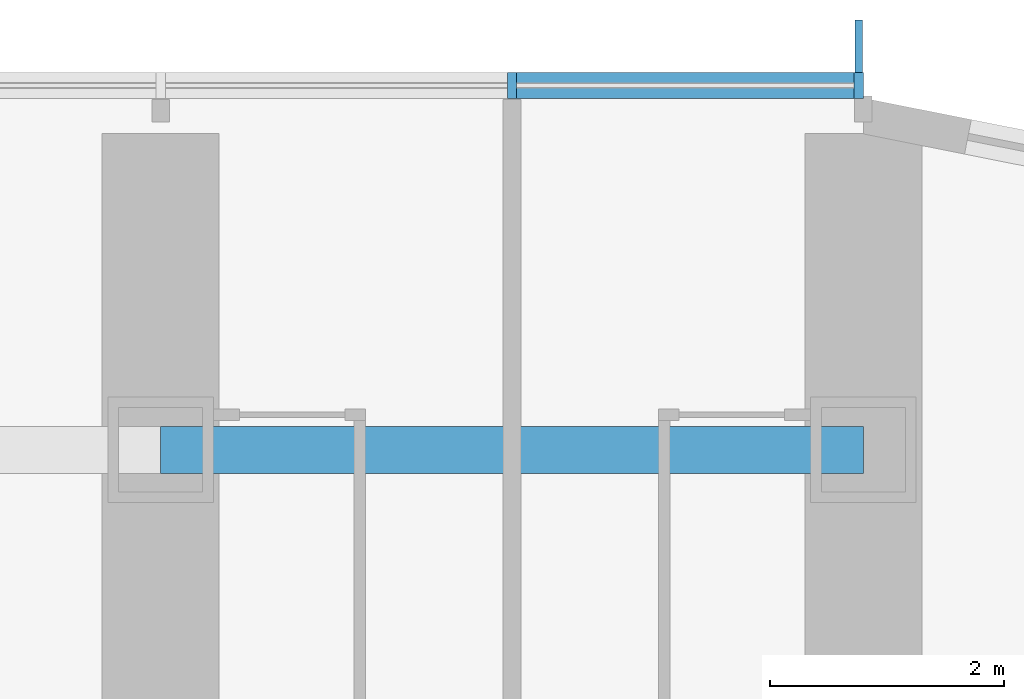
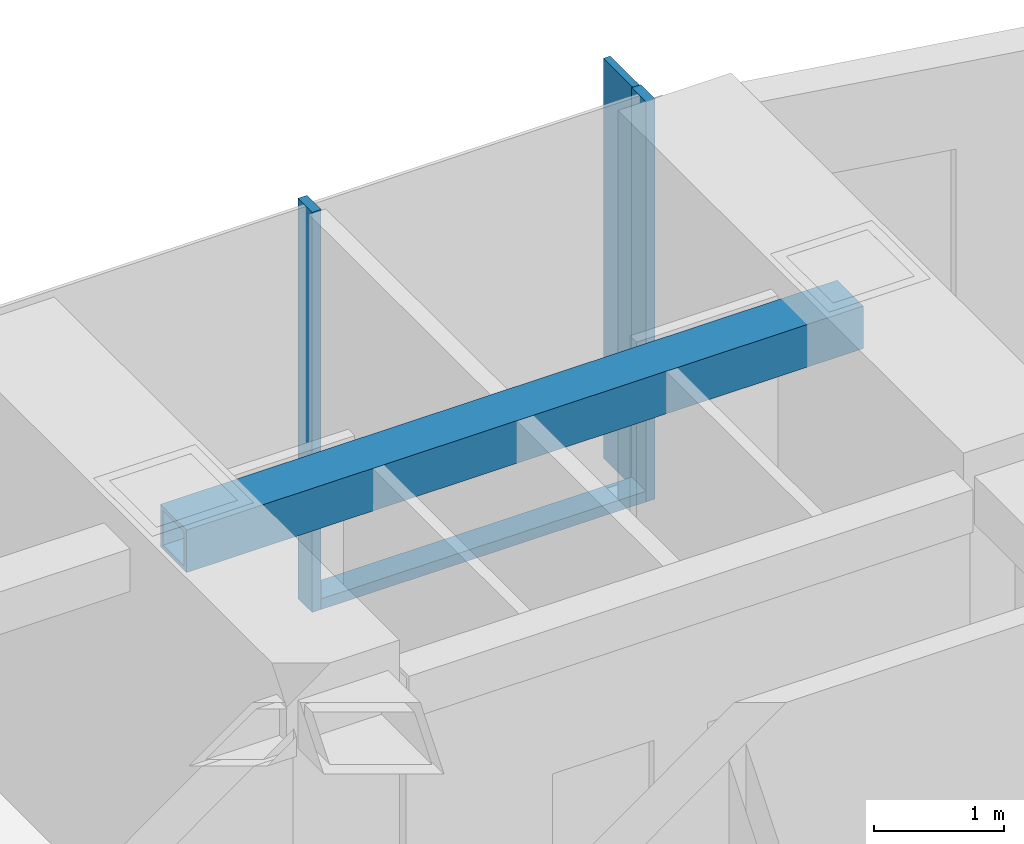
# One storey, part 7 of 23: 4 members, 1 beam, 1 element without a shape of its own.
"""IFC4 building model written with IfcOpenShell, lengths in metres."""

from ifc_helpers import new_model, si_unit, direction, frame, origin, origin_2d, place, context, subcontext, project, spatial, rectangle, hollow_rectangle, extrude, material, material_profile, profile_set, type_object, element, aggregate, save


model = new_model("IFC4")

# Units and contexts
model_context = context("Model", 3, precision=1e-05, world=origin(), true_north=direction((0.0, 1.0)))
body_context = subcontext(model_context, "Body", "Model", "MODEL_VIEW")
ifc_project = project(units=[si_unit("LENGTHUNIT", "METRE"), si_unit("AREAUNIT", "SQUARE_METRE"), si_unit("VOLUMEUNIT", "CUBIC_METRE"), si_unit("PLANEANGLEUNIT", "RADIAN"), si_unit("MASSUNIT", "GRAM", prefix="KILO")], contexts=[model_context])

# Site, building, storey
site_placement = place(None, origin())
site = spatial("IfcSite", under=ifc_project, at=site_placement, CompositionType="ELEMENT")
building_placement = place(site_placement, origin())
building = spatial("IfcBuilding", under=site, at=building_placement, Name="Orbita Commons", CompositionType="ELEMENT")
storey_placement = place(building_placement, frame((0.0, 0.0, 42.699951171875)))
storey = spatial("IfcBuildingStorey", under=building, at=storey_placement, Name="L10", CompositionType="ELEMENT", Elevation=42.699951171875)

# Curtain wall, members
ifc_material_1 = material(Name="Anodised aluminium frame, pale silver", Category="aluminium")
curtain_wall_type = type_object("IfcCurtainWallType", Name="Unitised curtain wall CW-T, vision and spandrel", PredefinedType="NOTDEFINED", material=ifc_material_1)
curtain_wall_placement = place(storey_placement, origin())
curtain_wall = element("IfcCurtainWall", 1, at=curtain_wall_placement, inside=storey, type_object=curtain_wall_type, Name="Curtain wall north L10", PredefinedType="NOTDEFINED")
ifc_material_2 = material(Name="Anodised aluminium, pale silver", Category="aluminium")
ifc_material_profile_1 = material_profile(ifc_material_2, rectangle(XDim=0.080078125, YDim=0.219970703125, at=origin_2d()), Name="AL 80x220")
ifc_profile_set_1 = profile_set([ifc_material_profile_1], Name="Anodised aluminium, pale silver")
member_type_1 = type_object("IfcMemberType", Name="Curtain wall mullion 80x220", PredefinedType="MULLION", material=ifc_profile_set_1)
member_1_placement = place(storey_placement, frame((71.9599609375, 56.7099609375, -0.25), z_axis=(0.0, 0.0, 1.0), x_axis=(-1.0, 0.0, 0.0)))
member_1 = element("IfcMember", 2, at=member_1_placement, type_object=member_type_1, Name="Mullion 1 CW-L10-N", PredefinedType="MULLION", context=body_context, shape_type="SweptSolid", body=[
    extrude(rectangle(XDim=0.080078125, YDim=0.219970703125, at=origin_2d()), origin(), (0.0, 0.0, 1.0), 3.75),
])
member_2_placement = place(storey_placement, frame((69.0, 56.7099609375, -0.25), z_axis=(0.0, 0.0, 1.0), x_axis=(-1.0, 0.0, 0.0)))
member_2 = element("IfcMember", 3, at=member_2_placement, type_object=member_type_1, Name="Mullion 2 CW-L10-N", PredefinedType="MULLION", context=body_context, shape_type="SweptSolid", body=[
    extrude(rectangle(XDim=0.080078125, YDim=0.219970703125, at=origin_2d()), origin(), (0.0, 0.0, 1.0), 3.75),
])
ifc_material_3 = material(Name="Anodised aluminium, pale silver", Category="aluminium")
ifc_material_profile_2 = material_profile(ifc_material_3, rectangle(XDim=0.219970703125, YDim=0.10009765625, at=origin_2d()), Name="AL 220x100")
ifc_profile_set_2 = profile_set([ifc_material_profile_2], Name="Anodised aluminium, pale silver")
member_type_2 = type_object("IfcMemberType", Name="Curtain wall stack transom 220x100", PredefinedType="USERDEFINED", material=ifc_profile_set_2)
member_3_placement = place(storey_placement, frame((71.919921875, 56.7099609375, -0.199951171875), z_axis=(-1.0, 0.0, 0.0), x_axis=(0.0, -1.0, 0.0)))
member_3 = element("IfcMember", 4, at=member_3_placement, type_object=member_type_2, Name="Transom 1.1 CW-L10-N", ObjectType="TRANSOM", PredefinedType="USERDEFINED", context=body_context, shape_type="SweptSolid", body=[
    extrude(rectangle(XDim=0.219970703125, YDim=0.10009765625, at=origin_2d()), origin(), (0.0, 0.0, 1.0), 2.8798828125),
])

# Beam
ifc_material_4 = material(Name="Steel ASTM A572 Gr 50 welded plate", Category="steel")
ifc_material_profile_3 = material_profile(ifc_material_4, hollow_rectangle(XDim=0.39990234375, YDim=0.39990234375, WallThickness=0.0400390625, at=origin_2d()), Name="BOX 400x400x40")
ifc_profile_set_3 = profile_set([ifc_material_profile_3], Name="Steel ASTM A572 Gr 50 welded plate")
beam_type = type_object("IfcBeamType", Name="Steel spandrel BOX 400x400x40", PredefinedType="SPANDREL", material=ifc_profile_set_3)
beam_placement = place(storey_placement, frame((66.0, 53.60009765625, 3.300048828125), z_axis=(1.0, 0.0, 0.0), x_axis=(0.0, 1.0, 0.0)))
element("IfcBeam", 5, at=beam_placement, inside=storey, type_object=beam_type, Name="Spandrel beam E 12-13 L10", PredefinedType="SPANDREL", context=body_context, shape_type="SweptSolid", body=[
    extrude(hollow_rectangle(XDim=0.39990234375, YDim=0.39990234375, WallThickness=0.0400390625, at=origin_2d()), origin(), (0.0, 0.0, 1.0), 6.0),
])

# Member
ifc_material_5 = material(Name="Anodised aluminium, pale silver", Category="aluminium")
ifc_material_profile_4 = material_profile(ifc_material_5, rectangle(XDim=0.06005859375, YDim=0.449951171875, at=origin_2d()), Name="FIN 60x450")
ifc_profile_set_4 = profile_set([ifc_material_profile_4], Name="Anodised aluminium, pale silver")
member_type_3 = type_object("IfcMemberType", Name="Vertical fin 60x450 pale aluminium", PredefinedType="USERDEFINED", material=ifc_profile_set_4)
member_4_placement = place(storey_placement, frame((71.9599609375, 57.044921875, -0.25), z_axis=(0.0, 0.0, 1.0), x_axis=(-1.0, 0.0, 0.0)))
member_4 = element("IfcMember", 6, at=member_4_placement, type_object=member_type_3, Name="Fin 1 CW-L10-N", ObjectType="FIN", PredefinedType="USERDEFINED", context=body_context, shape_type="SweptSolid", body=[
    extrude(rectangle(XDim=0.06005859375, YDim=0.449951171875, at=origin_2d()), origin(), (0.0, 0.0, 1.0), 3.75),
])

aggregate(curtain_wall, [member_1, member_4, member_2, member_3])

save(model, "model.ifc")
